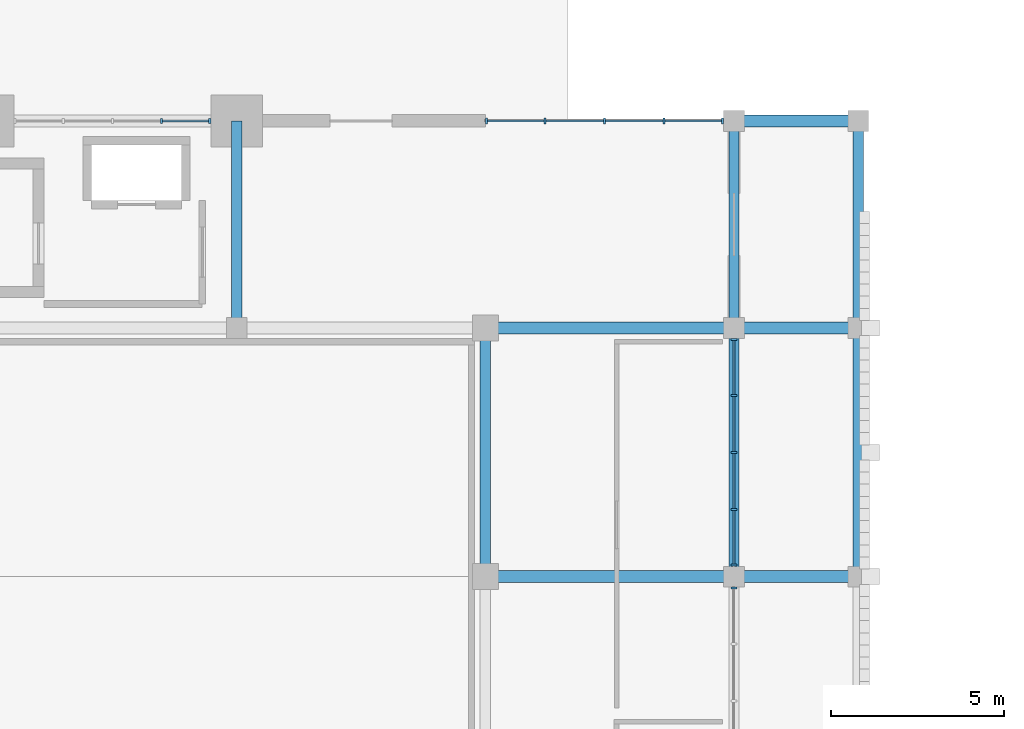
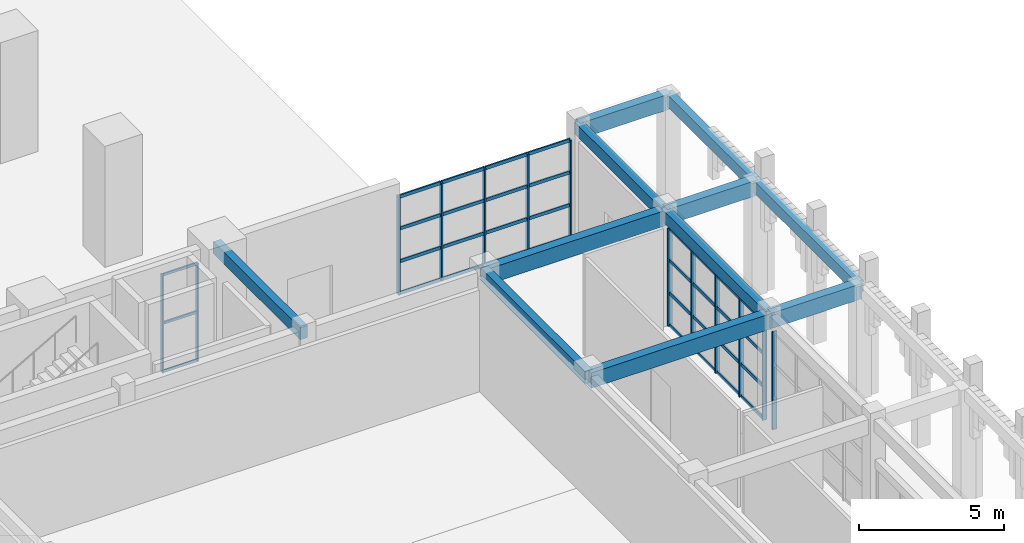
# One storey, part 6 of 72: 48 members, 11 beams, 4 elements without a shape of their own.
"""IFC4 building model written with IfcOpenShell, lengths in metres."""

from ifc_helpers import new_model, si_unit, direction, frame, origin, origin_2d, place, context, subcontext, project, spatial, rectangle, extrude, material, material_profile, profile_set, type_object, element, aggregate, save


model = new_model("IFC4")

# Units and contexts
model_context = context("Model", 3, precision=1e-05, world=origin(), true_north=direction((0.0, 1.0)))
body_context = subcontext(model_context, "Body", "Model", "MODEL_VIEW")
ifc_project = project(units=[si_unit("LENGTHUNIT", "METRE"), si_unit("AREAUNIT", "SQUARE_METRE"), si_unit("VOLUMEUNIT", "CUBIC_METRE"), si_unit("PLANEANGLEUNIT", "RADIAN"), si_unit("MASSUNIT", "GRAM", prefix="KILO")], contexts=[model_context])

# Site, building, storey
site_placement = place(None, origin())
site = spatial("IfcSite", under=ifc_project, at=site_placement, CompositionType="ELEMENT")
building_placement = place(site_placement, origin())
building = spatial("IfcBuilding", under=site, at=building_placement, Name="Nzembalo Square Collegiate School", CompositionType="ELEMENT")
storey_placement = place(building_placement, origin())
storey = spatial("IfcBuildingStorey", under=building, at=storey_placement, Name="L00", CompositionType="ELEMENT", Elevation=0.0)

# Beams
ifc_material_1 = material(Name="Concrete C35/45", Category="concrete")
ifc_material_profile_1 = material_profile(ifc_material_1, rectangle(XDim=0.35009765625, YDim=0.64990234375, at=origin_2d()), Name="RC 350x650")
ifc_profile_set_1 = profile_set([ifc_material_profile_1], Name="Concrete C35/45")
beam_type_1 = type_object("IfcBeamType", Name="B01", PredefinedType="BEAM", material=ifc_profile_set_1)
beam_1_placement = place(storey_placement, frame((30.0, 37.199951171875, 4.465087890625), z_axis=(1.0, 0.0, 0.0), x_axis=(0.0, 1.0, 0.0)))
element("IfcBeam", 1, at=beam_1_placement, inside=storey, type_object=beam_type_1, Name="Beam B01 L00", PredefinedType="BEAM", context=body_context, shape_type="SweptSolid", body=[
    extrude(rectangle(XDim=0.35009765625, YDim=0.64990234375, at=origin_2d()), origin(), (0.0, 0.0, 1.0), 7.199951171875),
])
beam_2_placement = place(storey_placement, frame((37.199951171875, 37.199951171875, 4.465087890625), z_axis=(1.0, 0.0, 0.0), x_axis=(0.0, 1.0, 0.0)))
element("IfcBeam", 2, at=beam_2_placement, inside=storey, type_object=beam_type_1, Name="Beam B01 L00", PredefinedType="BEAM", context=body_context, shape_type="SweptSolid", body=[
    extrude(rectangle(XDim=0.35009765625, YDim=0.64990234375, at=origin_2d()), origin(), (0.0, 0.0, 1.0), 3.60009765625),
])
beam_3_placement = place(storey_placement, frame((30.0, 44.39990234375, 4.465087890625), z_axis=(1.0, 0.0, 0.0), x_axis=(0.0, 1.0, 0.0)))
element("IfcBeam", 3, at=beam_3_placement, inside=storey, type_object=beam_type_1, Name="Beam B01 L00", PredefinedType="BEAM", context=body_context, shape_type="SweptSolid", body=[
    extrude(rectangle(XDim=0.35009765625, YDim=0.64990234375, at=origin_2d()), origin(), (0.0, 0.0, 1.0), 7.199951171875),
])
for number, where, z_axis, x_axis, name in (
    (4, (37.199951171875, 44.39990234375, 4.465087890625), (1.0, 0.0, 0.0), (0.0, 1.0, 0.0), "Beam B01 L00"),
    (5, (37.199951171875, 50.39990234375, 4.465087890625), (1.0, 0.0, 0.0), (0.0, 1.0, 0.0), "Beam B01 L00"),
):
    element("IfcBeam", number, at=place(storey_placement, frame(where, z_axis=z_axis, x_axis=x_axis)), inside=storey, type_object=beam_type_1, Name=name, PredefinedType="BEAM", context=body_context, shape_type="SweptSolid", body=[
        extrude(rectangle(XDim=0.35009765625, YDim=0.64990234375, at=origin_2d()), origin(), (0.0, 0.0, 1.0), 3.60009765625),
    ])
ifc_material_2 = material(Name="Concrete C35/45", Category="concrete")
ifc_material_profile_2 = material_profile(ifc_material_2, rectangle(XDim=0.300048828125, YDim=0.5, at=origin_2d()), Name="RC 300x500")
ifc_profile_set_2 = profile_set([ifc_material_profile_2], Name="Concrete C35/45")
beam_type_2 = type_object("IfcBeamType", Name="B02", PredefinedType="BEAM", material=ifc_profile_set_2)
beam_4_placement = place(storey_placement, frame((22.800048828125, 44.39990234375, 4.5400390625), z_axis=(0.0, 1.0, 0.0), x_axis=(-1.0, 0.0, 0.0)))
element("IfcBeam", 6, at=beam_4_placement, inside=storey, type_object=beam_type_2, Name="Beam B02 L00", PredefinedType="BEAM", context=body_context, shape_type="SweptSolid", body=[
    extrude(rectangle(XDim=0.300048828125, YDim=0.5, at=origin_2d()), origin(), (0.0, 0.0, 1.0), 6.0),
])
for number, where, z_axis, x_axis, name in (
    (7, (30.0, 37.199951171875, 4.5400390625), (0.0, 1.0, 0.0), (-1.0, 0.0, 0.0), "Beam B02 L00"),
    (8, (40.800048828125, 37.199951171875, 4.5400390625), (0.0, 1.0, 0.0), (-1.0, 0.0, 0.0), "Beam B02 L00"),
):
    element("IfcBeam", number, at=place(storey_placement, frame(where, z_axis=z_axis, x_axis=x_axis)), inside=storey, type_object=beam_type_2, Name=name, PredefinedType="BEAM", context=body_context, shape_type="SweptSolid", body=[
        extrude(rectangle(XDim=0.300048828125, YDim=0.5, at=origin_2d()), origin(), (0.0, 0.0, 1.0), 7.199951171875),
    ])
beam_5_placement = place(storey_placement, frame((40.800048828125, 44.39990234375, 4.5400390625), z_axis=(0.0, 1.0, 0.0), x_axis=(-1.0, 0.0, 0.0)))
element("IfcBeam", 9, at=beam_5_placement, inside=storey, type_object=beam_type_2, Name="Beam B02 L00", PredefinedType="BEAM", context=body_context, shape_type="SweptSolid", body=[
    extrude(rectangle(XDim=0.300048828125, YDim=0.5, at=origin_2d()), origin(), (0.0, 0.0, 1.0), 6.0),
])
ifc_material_3 = material(Name="Concrete C35/45", Category="concrete")
ifc_material_profile_3 = material_profile(ifc_material_3, rectangle(XDim=0.300048828125, YDim=0.5, at=origin_2d()), Name="RC 300x500")
ifc_profile_set_3 = profile_set([ifc_material_profile_3], Name="Concrete C35/45")
beam_type_3 = type_object("IfcBeamType", Name="SP01", PredefinedType="SPANDREL", material=ifc_profile_set_3)
beam_6_placement = place(storey_placement, frame((37.199951171875, 37.199951171875, 4.5400390625), z_axis=(0.0, 1.0, 0.0), x_axis=(-1.0, 0.0, 0.0)))
element("IfcBeam", 10, at=beam_6_placement, inside=storey, type_object=beam_type_3, Name="Beam SP01 L00", PredefinedType="SPANDREL", context=body_context, shape_type="SweptSolid", body=[
    extrude(rectangle(XDim=0.300048828125, YDim=0.5, at=origin_2d()), origin(), (0.0, 0.0, 1.0), 7.199951171875),
])
beam_7_placement = place(storey_placement, frame((37.199951171875, 44.39990234375, 4.5400390625), z_axis=(0.0, 1.0, 0.0), x_axis=(-1.0, 0.0, 0.0)))
element("IfcBeam", 11, at=beam_7_placement, inside=storey, type_object=beam_type_3, Name="Beam SP01 L00", PredefinedType="SPANDREL", context=body_context, shape_type="SweptSolid", body=[
    extrude(rectangle(XDim=0.300048828125, YDim=0.5, at=origin_2d()), origin(), (0.0, 0.0, 1.0), 6.0),
])

# Curtain wall, member
ifc_material_4 = material(Name="Aluminium 6060-T66", Category="aluminium")
curtain_wall_type_1 = type_object("IfcCurtainWallType", Name="CW-05", PredefinedType="USERDEFINED", material=ifc_material_4)
curtain_wall_1_placement = place(storey_placement, origin())
curtain_wall_1 = element("IfcCurtainWall", 12, at=curtain_wall_1_placement, inside=storey, type_object=curtain_wall_type_1, Name="Curtain wall CW-05 cw:L00:004", ObjectType="LANCET", PredefinedType="USERDEFINED")
ifc_material_5 = material(Name="Aluminium 6060-T66", Category="aluminium")
ifc_material_profile_4 = material_profile(ifc_material_5, rectangle(XDim=0.06005859375, YDim=0.179931640625, at=origin_2d()), Name="ALU M60x180")
ifc_profile_set_4 = profile_set([ifc_material_profile_4], Name="Aluminium 6060-T66")
member_type_1 = type_object("IfcMemberType", Name="ML01", PredefinedType="MULLION", material=ifc_profile_set_4)
member_1_placement = place(storey_placement, frame((37.199951171875, 36.867919921875, 0.0), z_axis=(0.0, 0.0, 1.0), x_axis=(0.0, 1.0, 0.0)))
member_1 = element("IfcMember", 13, at=member_1_placement, type_object=member_type_1, Name="ML01 mullion 5", PredefinedType="MULLION", context=body_context, shape_type="SweptSolid", body=[
    extrude(rectangle(XDim=0.06005859375, YDim=0.179931640625, at=origin_2d()), origin(), (0.0, 0.0, 1.0), 4.134033203125),
])
aggregate(curtain_wall_1, [member_1])

# Curtain wall, members
ifc_material_6 = material(Name="Aluminium 6060-T66", Category="aluminium")
curtain_wall_type_2 = type_object("IfcCurtainWallType", Name="CW-06", PredefinedType="USERDEFINED", material=ifc_material_6)
curtain_wall_2_placement = place(storey_placement, origin())
curtain_wall_2 = element("IfcCurtainWall", 14, at=curtain_wall_2_placement, inside=storey, type_object=curtain_wall_type_2, Name="Curtain wall CW-06 cw:L00:005", ObjectType="LANCET", PredefinedType="USERDEFINED")
member_2_placement = place(storey_placement, frame((37.199951171875, 37.531982421875, 0.0), z_axis=(0.0, 0.0, 1.0), x_axis=(0.0, 1.0, 0.0)))
member_2 = element("IfcMember", 15, at=member_2_placement, type_object=member_type_1, Name="ML01 mullion 1", PredefinedType="MULLION", context=body_context, shape_type="SweptSolid", body=[
    extrude(rectangle(XDim=0.06005859375, YDim=0.179931640625, at=origin_2d()), origin(), (0.0, 0.0, 1.0), 4.134033203125),
])
member_3_placement = place(storey_placement, frame((37.199951171875, 39.15087890625, 0.0), z_axis=(0.0, 0.0, 1.0), x_axis=(0.0, 1.0, 0.0)))
member_3 = element("IfcMember", 16, at=member_3_placement, type_object=member_type_1, Name="ML01 mullion 2", PredefinedType="MULLION", context=body_context, shape_type="SweptSolid", body=[
    extrude(rectangle(XDim=0.06005859375, YDim=0.179931640625, at=origin_2d()), origin(), (0.0, 0.0, 1.0), 4.134033203125),
])
member_4_placement = place(storey_placement, frame((37.199951171875, 40.800048828125, 0.0), z_axis=(0.0, 0.0, 1.0), x_axis=(0.0, 1.0, 0.0)))
member_4 = element("IfcMember", 17, at=member_4_placement, type_object=member_type_1, Name="ML01 mullion 3", PredefinedType="MULLION", context=body_context, shape_type="SweptSolid", body=[
    extrude(rectangle(XDim=0.06005859375, YDim=0.179931640625, at=origin_2d()), origin(), (0.0, 0.0, 1.0), 4.134033203125),
])
member_5_placement = place(storey_placement, frame((37.199951171875, 42.448974609375, 0.0), z_axis=(0.0, 0.0, 1.0), x_axis=(0.0, 1.0, 0.0)))
member_5 = element("IfcMember", 18, at=member_5_placement, type_object=member_type_1, Name="ML01 mullion 4", PredefinedType="MULLION", context=body_context, shape_type="SweptSolid", body=[
    extrude(rectangle(XDim=0.06005859375, YDim=0.179931640625, at=origin_2d()), origin(), (0.0, 0.0, 1.0), 4.134033203125),
])
member_6_placement = place(storey_placement, frame((37.199951171875, 44.068115234375, 0.0), z_axis=(0.0, 0.0, 1.0), x_axis=(0.0, 1.0, 0.0)))
member_6 = element("IfcMember", 19, at=member_6_placement, type_object=member_type_1, Name="ML01 mullion 5", PredefinedType="MULLION", context=body_context, shape_type="SweptSolid", body=[
    extrude(rectangle(XDim=0.06005859375, YDim=0.179931640625, at=origin_2d()), origin(), (0.0, 0.0, 1.0), 4.134033203125),
])

ifc_material_7 = material(Name="Aluminium 6060-T66", Category="aluminium")
curtain_wall_type_3 = type_object("IfcCurtainWallType", Name="CW-01", PredefinedType="USERDEFINED", material=ifc_material_7)
curtain_wall_3_placement = place(storey_placement, origin())
curtain_wall_3 = element("IfcCurtainWall", 20, at=curtain_wall_3_placement, inside=storey, type_object=curtain_wall_type_3, Name="Curtain wall CW-01 cw:L00:008", ObjectType="UNITISED", PredefinedType="USERDEFINED")
member_7_placement = place(storey_placement, frame((30.030029296875, 50.39990234375, 0.0), z_axis=(0.0, 0.0, 1.0), x_axis=(1.0, 0.0, 0.0)))
member_7 = element("IfcMember", 21, at=member_7_placement, type_object=member_type_1, Name="ML01 mullion 1", PredefinedType="MULLION", context=body_context, shape_type="SweptSolid", body=[
    extrude(rectangle(XDim=0.06005859375, YDim=0.179931640625, at=origin_2d()), origin(), (0.0, 0.0, 1.0), 4.134033203125),
])
member_8_placement = place(storey_placement, frame((31.724609375, 50.39990234375, 0.0), z_axis=(0.0, 0.0, 1.0), x_axis=(1.0, 0.0, 0.0)))
member_8 = element("IfcMember", 22, at=member_8_placement, type_object=member_type_1, Name="ML01 mullion 2", PredefinedType="MULLION", context=body_context, shape_type="SweptSolid", body=[
    extrude(rectangle(XDim=0.06005859375, YDim=0.179931640625, at=origin_2d()), origin(), (0.0, 0.0, 1.0), 4.134033203125),
])
member_9_placement = place(storey_placement, frame((33.448974609375, 50.39990234375, 0.0), z_axis=(0.0, 0.0, 1.0), x_axis=(1.0, 0.0, 0.0)))
member_9 = element("IfcMember", 23, at=member_9_placement, type_object=member_type_1, Name="ML01 mullion 3", PredefinedType="MULLION", context=body_context, shape_type="SweptSolid", body=[
    extrude(rectangle(XDim=0.06005859375, YDim=0.179931640625, at=origin_2d()), origin(), (0.0, 0.0, 1.0), 4.134033203125),
])
member_10_placement = place(storey_placement, frame((35.173583984375, 50.39990234375, 0.0), z_axis=(0.0, 0.0, 1.0), x_axis=(1.0, 0.0, 0.0)))
member_10 = element("IfcMember", 24, at=member_10_placement, type_object=member_type_1, Name="ML01 mullion 4", PredefinedType="MULLION", context=body_context, shape_type="SweptSolid", body=[
    extrude(rectangle(XDim=0.06005859375, YDim=0.179931640625, at=origin_2d()), origin(), (0.0, 0.0, 1.0), 4.134033203125),
])
member_11_placement = place(storey_placement, frame((36.867919921875, 50.39990234375, 0.0), z_axis=(0.0, 0.0, 1.0), x_axis=(1.0, 0.0, 0.0)))
member_11 = element("IfcMember", 25, at=member_11_placement, type_object=member_type_1, Name="ML01 mullion 5", PredefinedType="MULLION", context=body_context, shape_type="SweptSolid", body=[
    extrude(rectangle(XDim=0.06005859375, YDim=0.179931640625, at=origin_2d()), origin(), (0.0, 0.0, 1.0), 4.134033203125),
])

ifc_material_8 = material(Name="Aluminium 6060-T66", Category="aluminium")
curtain_wall_type_4 = type_object("IfcCurtainWallType", Name="CW-08", PredefinedType="USERDEFINED", material=ifc_material_8)
curtain_wall_4_placement = place(storey_placement, origin())
curtain_wall_4 = element("IfcCurtainWall", 26, at=curtain_wall_4_placement, inside=storey, type_object=curtain_wall_type_4, Name="Curtain wall CW-08 cw:L00:007", ObjectType="LANCET", PredefinedType="USERDEFINED")
ifc_material_9 = material(Name="Aluminium 6060-T66", Category="aluminium")
ifc_material_profile_5 = material_profile(ifc_material_9, rectangle(XDim=0.06005859375, YDim=0.14990234375, at=origin_2d()), Name="ALU M60x150")
ifc_profile_set_5 = profile_set([ifc_material_profile_5], Name="Aluminium 6060-T66")
member_type_2 = type_object("IfcMemberType", Name="ML02", PredefinedType="MULLION", material=ifc_profile_set_5)
member_12_placement = place(storey_placement, frame((20.6240234375, 50.39990234375, 0.0), z_axis=(0.0, 0.0, 1.0), x_axis=(1.0, 0.0, 0.0)))
member_12 = element("IfcMember", 27, at=member_12_placement, type_object=member_type_2, Name="ML02 mullion 4", PredefinedType="MULLION", context=body_context, shape_type="SweptSolid", body=[
    extrude(rectangle(XDim=0.06005859375, YDim=0.14990234375, at=origin_2d()), origin(), (0.0, 0.0, 1.0), 4.134033203125),
])
member_13_placement = place(storey_placement, frame((22.01806640625, 50.39990234375, 0.0), z_axis=(0.0, 0.0, 1.0), x_axis=(1.0, 0.0, 0.0)))
member_13 = element("IfcMember", 28, at=member_13_placement, type_object=member_type_2, Name="ML02 mullion 5", PredefinedType="MULLION", context=body_context, shape_type="SweptSolid", body=[
    extrude(rectangle(XDim=0.06005859375, YDim=0.14990234375, at=origin_2d()), origin(), (0.0, 0.0, 1.0), 4.134033203125),
])

# Member
ifc_material_10 = material(Name="Aluminium 6060-T66", Category="aluminium")
ifc_material_profile_6 = material_profile(ifc_material_10, rectangle(XDim=0.06005859375, YDim=0.139892578125, at=origin_2d()), Name="ALU T60x140")
ifc_profile_set_6 = profile_set([ifc_material_profile_6], Name="Aluminium 6060-T66")
member_type_3 = type_object("IfcMemberType", Name="TR01", PredefinedType="USERDEFINED", material=ifc_profile_set_6)
member_14_placement = place(storey_placement, frame((37.199951171875, 37.56201171875, 0.030029296875), z_axis=(0.0, 1.0, 0.0), x_axis=(-1.0, 0.0, 0.0)))
member_14 = element("IfcMember", 29, at=member_14_placement, type_object=member_type_3, Name="TR01 transom 1-1", ObjectType="TRANSOM", PredefinedType="USERDEFINED", context=body_context, shape_type="SweptSolid", body=[
    extrude(rectangle(XDim=0.06005859375, YDim=0.139892578125, at=origin_2d()), origin(), (0.0, 0.0, 1.0), 1.55908203125),
])

member_15_placement = place(storey_placement, frame((37.199951171875, 39.180908203125, 0.030029296875), z_axis=(0.0, 1.0, 0.0), x_axis=(-1.0, 0.0, 0.0)))
member_15 = element("IfcMember", 30, at=member_15_placement, type_object=member_type_3, Name="TR01 transom 1-2", ObjectType="TRANSOM", PredefinedType="USERDEFINED", context=body_context, shape_type="SweptSolid", body=[
    extrude(rectangle(XDim=0.06005859375, YDim=0.139892578125, at=origin_2d()), origin(), (0.0, 0.0, 1.0), 1.589111328125),
])

member_16_placement = place(storey_placement, frame((37.199951171875, 40.830078125, 0.030029296875), z_axis=(0.0, 1.0, 0.0), x_axis=(-1.0, 0.0, 0.0)))
member_16 = element("IfcMember", 31, at=member_16_placement, type_object=member_type_3, Name="TR01 transom 1-3", ObjectType="TRANSOM", PredefinedType="USERDEFINED", context=body_context, shape_type="SweptSolid", body=[
    extrude(rectangle(XDim=0.06005859375, YDim=0.139892578125, at=origin_2d()), origin(), (0.0, 0.0, 1.0), 1.5888671875),
])

member_17_placement = place(storey_placement, frame((37.199951171875, 42.47900390625, 0.030029296875), z_axis=(0.0, 1.0, 0.0), x_axis=(-1.0, 0.0, 0.0)))
member_17 = element("IfcMember", 32, at=member_17_placement, type_object=member_type_3, Name="TR01 transom 1-4", ObjectType="TRANSOM", PredefinedType="USERDEFINED", context=body_context, shape_type="SweptSolid", body=[
    extrude(rectangle(XDim=0.06005859375, YDim=0.139892578125, at=origin_2d()), origin(), (0.0, 0.0, 1.0), 1.55908203125),
])

member_18_placement = place(storey_placement, frame((37.199951171875, 37.56201171875, 1.3779296875), z_axis=(0.0, 1.0, 0.0), x_axis=(-1.0, 0.0, 0.0)))
member_18 = element("IfcMember", 33, at=member_18_placement, type_object=member_type_3, Name="TR01 transom 2-1", ObjectType="TRANSOM", PredefinedType="USERDEFINED", context=body_context, shape_type="SweptSolid", body=[
    extrude(rectangle(XDim=0.06005859375, YDim=0.139892578125, at=origin_2d()), origin(), (0.0, 0.0, 1.0), 1.55908203125),
])

member_19_placement = place(storey_placement, frame((37.199951171875, 39.180908203125, 1.3779296875), z_axis=(0.0, 1.0, 0.0), x_axis=(-1.0, 0.0, 0.0)))
member_19 = element("IfcMember", 34, at=member_19_placement, type_object=member_type_3, Name="TR01 transom 2-2", ObjectType="TRANSOM", PredefinedType="USERDEFINED", context=body_context, shape_type="SweptSolid", body=[
    extrude(rectangle(XDim=0.06005859375, YDim=0.139892578125, at=origin_2d()), origin(), (0.0, 0.0, 1.0), 1.589111328125),
])

member_20_placement = place(storey_placement, frame((37.199951171875, 40.830078125, 1.3779296875), z_axis=(0.0, 1.0, 0.0), x_axis=(-1.0, 0.0, 0.0)))
member_20 = element("IfcMember", 35, at=member_20_placement, type_object=member_type_3, Name="TR01 transom 2-3", ObjectType="TRANSOM", PredefinedType="USERDEFINED", context=body_context, shape_type="SweptSolid", body=[
    extrude(rectangle(XDim=0.06005859375, YDim=0.139892578125, at=origin_2d()), origin(), (0.0, 0.0, 1.0), 1.5888671875),
])

member_21_placement = place(storey_placement, frame((37.199951171875, 42.47900390625, 1.3779296875), z_axis=(0.0, 1.0, 0.0), x_axis=(-1.0, 0.0, 0.0)))
member_21 = element("IfcMember", 36, at=member_21_placement, type_object=member_type_3, Name="TR01 transom 2-4", ObjectType="TRANSOM", PredefinedType="USERDEFINED", context=body_context, shape_type="SweptSolid", body=[
    extrude(rectangle(XDim=0.06005859375, YDim=0.139892578125, at=origin_2d()), origin(), (0.0, 0.0, 1.0), 1.55908203125),
])

member_22_placement = place(storey_placement, frame((37.199951171875, 37.56201171875, 2.756103515625), z_axis=(0.0, 1.0, 0.0), x_axis=(-1.0, 0.0, 0.0)))
member_22 = element("IfcMember", 37, at=member_22_placement, type_object=member_type_3, Name="TR01 transom 3-1", ObjectType="TRANSOM", PredefinedType="USERDEFINED", context=body_context, shape_type="SweptSolid", body=[
    extrude(rectangle(XDim=0.06005859375, YDim=0.139892578125, at=origin_2d()), origin(), (0.0, 0.0, 1.0), 1.55908203125),
])

member_23_placement = place(storey_placement, frame((37.199951171875, 39.180908203125, 2.756103515625), z_axis=(0.0, 1.0, 0.0), x_axis=(-1.0, 0.0, 0.0)))
member_23 = element("IfcMember", 38, at=member_23_placement, type_object=member_type_3, Name="TR01 transom 3-2", ObjectType="TRANSOM", PredefinedType="USERDEFINED", context=body_context, shape_type="SweptSolid", body=[
    extrude(rectangle(XDim=0.06005859375, YDim=0.139892578125, at=origin_2d()), origin(), (0.0, 0.0, 1.0), 1.589111328125),
])

member_24_placement = place(storey_placement, frame((37.199951171875, 40.830078125, 2.756103515625), z_axis=(0.0, 1.0, 0.0), x_axis=(-1.0, 0.0, 0.0)))
member_24 = element("IfcMember", 39, at=member_24_placement, type_object=member_type_3, Name="TR01 transom 3-3", ObjectType="TRANSOM", PredefinedType="USERDEFINED", context=body_context, shape_type="SweptSolid", body=[
    extrude(rectangle(XDim=0.06005859375, YDim=0.139892578125, at=origin_2d()), origin(), (0.0, 0.0, 1.0), 1.5888671875),
])

member_25_placement = place(storey_placement, frame((37.199951171875, 42.47900390625, 2.756103515625), z_axis=(0.0, 1.0, 0.0), x_axis=(-1.0, 0.0, 0.0)))
member_25 = element("IfcMember", 40, at=member_25_placement, type_object=member_type_3, Name="TR01 transom 3-4", ObjectType="TRANSOM", PredefinedType="USERDEFINED", context=body_context, shape_type="SweptSolid", body=[
    extrude(rectangle(XDim=0.06005859375, YDim=0.139892578125, at=origin_2d()), origin(), (0.0, 0.0, 1.0), 1.55908203125),
])

member_26_placement = place(storey_placement, frame((37.199951171875, 37.56201171875, 4.10400390625), z_axis=(0.0, 1.0, 0.0), x_axis=(-1.0, 0.0, 0.0)))
member_26 = element("IfcMember", 41, at=member_26_placement, type_object=member_type_3, Name="TR01 transom 4-1", ObjectType="TRANSOM", PredefinedType="USERDEFINED", context=body_context, shape_type="SweptSolid", body=[
    extrude(rectangle(XDim=0.06005859375, YDim=0.139892578125, at=origin_2d()), origin(), (0.0, 0.0, 1.0), 1.55908203125),
])

member_27_placement = place(storey_placement, frame((37.199951171875, 39.180908203125, 4.10400390625), z_axis=(0.0, 1.0, 0.0), x_axis=(-1.0, 0.0, 0.0)))
member_27 = element("IfcMember", 42, at=member_27_placement, type_object=member_type_3, Name="TR01 transom 4-2", ObjectType="TRANSOM", PredefinedType="USERDEFINED", context=body_context, shape_type="SweptSolid", body=[
    extrude(rectangle(XDim=0.06005859375, YDim=0.139892578125, at=origin_2d()), origin(), (0.0, 0.0, 1.0), 1.589111328125),
])

member_28_placement = place(storey_placement, frame((37.199951171875, 40.830078125, 4.10400390625), z_axis=(0.0, 1.0, 0.0), x_axis=(-1.0, 0.0, 0.0)))
member_28 = element("IfcMember", 43, at=member_28_placement, type_object=member_type_3, Name="TR01 transom 4-3", ObjectType="TRANSOM", PredefinedType="USERDEFINED", context=body_context, shape_type="SweptSolid", body=[
    extrude(rectangle(XDim=0.06005859375, YDim=0.139892578125, at=origin_2d()), origin(), (0.0, 0.0, 1.0), 1.5888671875),
])

member_29_placement = place(storey_placement, frame((37.199951171875, 42.47900390625, 4.10400390625), z_axis=(0.0, 1.0, 0.0), x_axis=(-1.0, 0.0, 0.0)))
member_29 = element("IfcMember", 44, at=member_29_placement, type_object=member_type_3, Name="TR01 transom 4-4", ObjectType="TRANSOM", PredefinedType="USERDEFINED", context=body_context, shape_type="SweptSolid", body=[
    extrude(rectangle(XDim=0.06005859375, YDim=0.139892578125, at=origin_2d()), origin(), (0.0, 0.0, 1.0), 1.55908203125),
])

aggregate(curtain_wall_2, [member_2, member_3, member_4, member_5, member_6, member_14, member_15, member_16, member_17, member_18, member_19, member_20, member_21, member_22, member_23, member_24, member_25, member_26, member_27, member_28, member_29])

member_30_placement = place(storey_placement, frame((30.06005859375, 50.39990234375, 0.030029296875), z_axis=(1.0, 0.0, 0.0), x_axis=(0.0, 1.0, 0.0)))
member_30 = element("IfcMember", 45, at=member_30_placement, type_object=member_type_3, Name="TR01 transom 1-1", ObjectType="TRANSOM", PredefinedType="USERDEFINED", context=body_context, shape_type="SweptSolid", body=[
    extrude(rectangle(XDim=0.06005859375, YDim=0.139892578125, at=origin_2d()), origin(), (0.0, 0.0, 1.0), 1.634521484375),
])

member_31_placement = place(storey_placement, frame((31.75439453125, 50.39990234375, 0.030029296875), z_axis=(1.0, 0.0, 0.0), x_axis=(0.0, 1.0, 0.0)))
member_31 = element("IfcMember", 46, at=member_31_placement, type_object=member_type_3, Name="TR01 transom 1-2", ObjectType="TRANSOM", PredefinedType="USERDEFINED", context=body_context, shape_type="SweptSolid", body=[
    extrude(rectangle(XDim=0.06005859375, YDim=0.139892578125, at=origin_2d()), origin(), (0.0, 0.0, 1.0), 1.66455078125),
])

member_32_placement = place(storey_placement, frame((33.47900390625, 50.39990234375, 0.030029296875), z_axis=(1.0, 0.0, 0.0), x_axis=(0.0, 1.0, 0.0)))
member_32 = element("IfcMember", 47, at=member_32_placement, type_object=member_type_3, Name="TR01 transom 1-3", ObjectType="TRANSOM", PredefinedType="USERDEFINED", context=body_context, shape_type="SweptSolid", body=[
    extrude(rectangle(XDim=0.06005859375, YDim=0.139892578125, at=origin_2d()), origin(), (0.0, 0.0, 1.0), 1.66455078125),
])

member_33_placement = place(storey_placement, frame((35.20361328125, 50.39990234375, 0.030029296875), z_axis=(1.0, 0.0, 0.0), x_axis=(0.0, 1.0, 0.0)))
member_33 = element("IfcMember", 48, at=member_33_placement, type_object=member_type_3, Name="TR01 transom 1-4", ObjectType="TRANSOM", PredefinedType="USERDEFINED", context=body_context, shape_type="SweptSolid", body=[
    extrude(rectangle(XDim=0.06005859375, YDim=0.139892578125, at=origin_2d()), origin(), (0.0, 0.0, 1.0), 1.63427734375),
])

member_34_placement = place(storey_placement, frame((30.06005859375, 50.39990234375, 1.3779296875), z_axis=(1.0, 0.0, 0.0), x_axis=(0.0, 1.0, 0.0)))
member_34 = element("IfcMember", 49, at=member_34_placement, type_object=member_type_3, Name="TR01 transom 2-1", ObjectType="TRANSOM", PredefinedType="USERDEFINED", context=body_context, shape_type="SweptSolid", body=[
    extrude(rectangle(XDim=0.06005859375, YDim=0.139892578125, at=origin_2d()), origin(), (0.0, 0.0, 1.0), 1.634521484375),
])

member_35_placement = place(storey_placement, frame((31.75439453125, 50.39990234375, 1.3779296875), z_axis=(1.0, 0.0, 0.0), x_axis=(0.0, 1.0, 0.0)))
member_35 = element("IfcMember", 50, at=member_35_placement, type_object=member_type_3, Name="TR01 transom 2-2", ObjectType="TRANSOM", PredefinedType="USERDEFINED", context=body_context, shape_type="SweptSolid", body=[
    extrude(rectangle(XDim=0.06005859375, YDim=0.139892578125, at=origin_2d()), origin(), (0.0, 0.0, 1.0), 1.66455078125),
])

member_36_placement = place(storey_placement, frame((33.47900390625, 50.39990234375, 1.3779296875), z_axis=(1.0, 0.0, 0.0), x_axis=(0.0, 1.0, 0.0)))
member_36 = element("IfcMember", 51, at=member_36_placement, type_object=member_type_3, Name="TR01 transom 2-3", ObjectType="TRANSOM", PredefinedType="USERDEFINED", context=body_context, shape_type="SweptSolid", body=[
    extrude(rectangle(XDim=0.06005859375, YDim=0.139892578125, at=origin_2d()), origin(), (0.0, 0.0, 1.0), 1.66455078125),
])

member_37_placement = place(storey_placement, frame((35.20361328125, 50.39990234375, 1.3779296875), z_axis=(1.0, 0.0, 0.0), x_axis=(0.0, 1.0, 0.0)))
member_37 = element("IfcMember", 52, at=member_37_placement, type_object=member_type_3, Name="TR01 transom 2-4", ObjectType="TRANSOM", PredefinedType="USERDEFINED", context=body_context, shape_type="SweptSolid", body=[
    extrude(rectangle(XDim=0.06005859375, YDim=0.139892578125, at=origin_2d()), origin(), (0.0, 0.0, 1.0), 1.63427734375),
])

member_38_placement = place(storey_placement, frame((30.06005859375, 50.39990234375, 2.756103515625), z_axis=(1.0, 0.0, 0.0), x_axis=(0.0, 1.0, 0.0)))
member_38 = element("IfcMember", 53, at=member_38_placement, type_object=member_type_3, Name="TR01 transom 3-1", ObjectType="TRANSOM", PredefinedType="USERDEFINED", context=body_context, shape_type="SweptSolid", body=[
    extrude(rectangle(XDim=0.06005859375, YDim=0.139892578125, at=origin_2d()), origin(), (0.0, 0.0, 1.0), 1.634521484375),
])

member_39_placement = place(storey_placement, frame((31.75439453125, 50.39990234375, 2.756103515625), z_axis=(1.0, 0.0, 0.0), x_axis=(0.0, 1.0, 0.0)))
member_39 = element("IfcMember", 54, at=member_39_placement, type_object=member_type_3, Name="TR01 transom 3-2", ObjectType="TRANSOM", PredefinedType="USERDEFINED", context=body_context, shape_type="SweptSolid", body=[
    extrude(rectangle(XDim=0.06005859375, YDim=0.139892578125, at=origin_2d()), origin(), (0.0, 0.0, 1.0), 1.66455078125),
])

member_40_placement = place(storey_placement, frame((33.47900390625, 50.39990234375, 2.756103515625), z_axis=(1.0, 0.0, 0.0), x_axis=(0.0, 1.0, 0.0)))
member_40 = element("IfcMember", 55, at=member_40_placement, type_object=member_type_3, Name="TR01 transom 3-3", ObjectType="TRANSOM", PredefinedType="USERDEFINED", context=body_context, shape_type="SweptSolid", body=[
    extrude(rectangle(XDim=0.06005859375, YDim=0.139892578125, at=origin_2d()), origin(), (0.0, 0.0, 1.0), 1.66455078125),
])

member_41_placement = place(storey_placement, frame((35.20361328125, 50.39990234375, 2.756103515625), z_axis=(1.0, 0.0, 0.0), x_axis=(0.0, 1.0, 0.0)))
member_41 = element("IfcMember", 56, at=member_41_placement, type_object=member_type_3, Name="TR01 transom 3-4", ObjectType="TRANSOM", PredefinedType="USERDEFINED", context=body_context, shape_type="SweptSolid", body=[
    extrude(rectangle(XDim=0.06005859375, YDim=0.139892578125, at=origin_2d()), origin(), (0.0, 0.0, 1.0), 1.63427734375),
])

member_42_placement = place(storey_placement, frame((30.06005859375, 50.39990234375, 4.10400390625), z_axis=(1.0, 0.0, 0.0), x_axis=(0.0, 1.0, 0.0)))
member_42 = element("IfcMember", 57, at=member_42_placement, type_object=member_type_3, Name="TR01 transom 4-1", ObjectType="TRANSOM", PredefinedType="USERDEFINED", context=body_context, shape_type="SweptSolid", body=[
    extrude(rectangle(XDim=0.06005859375, YDim=0.139892578125, at=origin_2d()), origin(), (0.0, 0.0, 1.0), 1.634521484375),
])

member_43_placement = place(storey_placement, frame((31.75439453125, 50.39990234375, 4.10400390625), z_axis=(1.0, 0.0, 0.0), x_axis=(0.0, 1.0, 0.0)))
member_43 = element("IfcMember", 58, at=member_43_placement, type_object=member_type_3, Name="TR01 transom 4-2", ObjectType="TRANSOM", PredefinedType="USERDEFINED", context=body_context, shape_type="SweptSolid", body=[
    extrude(rectangle(XDim=0.06005859375, YDim=0.139892578125, at=origin_2d()), origin(), (0.0, 0.0, 1.0), 1.66455078125),
])

member_44_placement = place(storey_placement, frame((33.47900390625, 50.39990234375, 4.10400390625), z_axis=(1.0, 0.0, 0.0), x_axis=(0.0, 1.0, 0.0)))
member_44 = element("IfcMember", 59, at=member_44_placement, type_object=member_type_3, Name="TR01 transom 4-3", ObjectType="TRANSOM", PredefinedType="USERDEFINED", context=body_context, shape_type="SweptSolid", body=[
    extrude(rectangle(XDim=0.06005859375, YDim=0.139892578125, at=origin_2d()), origin(), (0.0, 0.0, 1.0), 1.66455078125),
])

member_45_placement = place(storey_placement, frame((35.20361328125, 50.39990234375, 4.10400390625), z_axis=(1.0, 0.0, 0.0), x_axis=(0.0, 1.0, 0.0)))
member_45 = element("IfcMember", 60, at=member_45_placement, type_object=member_type_3, Name="TR01 transom 4-4", ObjectType="TRANSOM", PredefinedType="USERDEFINED", context=body_context, shape_type="SweptSolid", body=[
    extrude(rectangle(XDim=0.06005859375, YDim=0.139892578125, at=origin_2d()), origin(), (0.0, 0.0, 1.0), 1.63427734375),
])

aggregate(curtain_wall_3, [member_7, member_8, member_9, member_10, member_11, member_30, member_31, member_32, member_33, member_34, member_35, member_36, member_37, member_38, member_39, member_40, member_41, member_42, member_43, member_44, member_45])

ifc_material_11 = material(Name="Aluminium 6060-T66", Category="aluminium")
ifc_material_profile_7 = material_profile(ifc_material_11, rectangle(XDim=0.06005859375, YDim=0.110107421875, at=origin_2d()), Name="ALU T60x110")
ifc_profile_set_7 = profile_set([ifc_material_profile_7], Name="Aluminium 6060-T66")
member_type_4 = type_object("IfcMemberType", Name="TR02", PredefinedType="USERDEFINED", material=ifc_profile_set_7)
member_46_placement = place(storey_placement, frame((20.654052734375, 50.39990234375, 0.030029296875), z_axis=(1.0, 0.0, 0.0), x_axis=(0.0, 1.0, 0.0)))
member_46 = element("IfcMember", 61, at=member_46_placement, type_object=member_type_4, Name="TR02 transom 1-4", ObjectType="TRANSOM", PredefinedType="USERDEFINED", context=body_context, shape_type="SweptSolid", body=[
    extrude(rectangle(XDim=0.06005859375, YDim=0.110107421875, at=origin_2d()), origin(), (0.0, 0.0, 1.0), 1.333984375),
])

member_47_placement = place(storey_placement, frame((20.654052734375, 50.39990234375, 2.06689453125), z_axis=(1.0, 0.0, 0.0), x_axis=(0.0, 1.0, 0.0)))
member_47 = element("IfcMember", 62, at=member_47_placement, type_object=member_type_4, Name="TR02 transom 2-4", ObjectType="TRANSOM", PredefinedType="USERDEFINED", context=body_context, shape_type="SweptSolid", body=[
    extrude(rectangle(XDim=0.06005859375, YDim=0.110107421875, at=origin_2d()), origin(), (0.0, 0.0, 1.0), 1.333984375),
])

member_48_placement = place(storey_placement, frame((20.654052734375, 50.39990234375, 4.10400390625), z_axis=(1.0, 0.0, 0.0), x_axis=(0.0, 1.0, 0.0)))
member_48 = element("IfcMember", 63, at=member_48_placement, type_object=member_type_4, Name="TR02 transom 3-4", ObjectType="TRANSOM", PredefinedType="USERDEFINED", context=body_context, shape_type="SweptSolid", body=[
    extrude(rectangle(XDim=0.06005859375, YDim=0.110107421875, at=origin_2d()), origin(), (0.0, 0.0, 1.0), 1.333984375),
])

aggregate(curtain_wall_4, [member_12, member_13, member_46, member_47, member_48])

save(model, "model.ifc")
